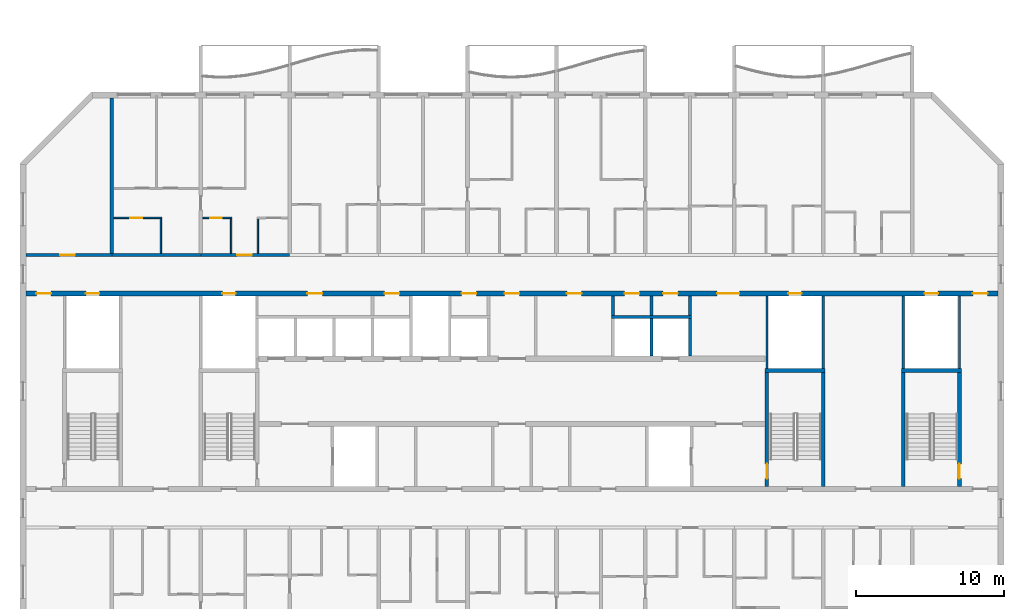
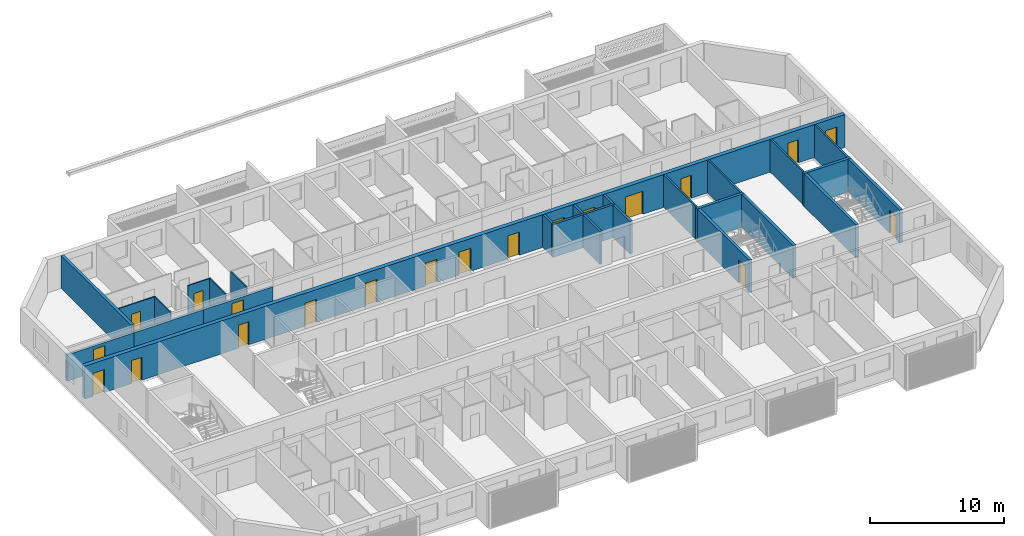
# One storey, part 9 of 20: 26 walls, 20 doors, 20 openings.
"""IFC4 building model written with IfcOpenShell, lengths in metres."""

from ifc_helpers import new_model, si_unit, direction, frame, frame_2d, origin, place, context, subcontext, project, spatial, rectangle, extrude, material, layer, layer_set, type_object, element, fill, save


model = new_model("IFC4")

# Units and contexts
model_context = context("Model", 3, precision=1e-05, world=origin(), true_north=direction((0.0, 1.0)))
body_context = subcontext(model_context, "Body", "Model", "MODEL_VIEW")
ifc_project = project(units=[si_unit("LENGTHUNIT", "METRE"), si_unit("AREAUNIT", "SQUARE_METRE"), si_unit("VOLUMEUNIT", "CUBIC_METRE"), si_unit("PLANEANGLEUNIT", "RADIAN"), si_unit("MASSUNIT", "GRAM", prefix="KILO")], contexts=[model_context])

# Site, building, storey
site_placement = place(None, origin())
site = spatial("IfcSite", under=ifc_project, at=site_placement, CompositionType="ELEMENT")
building_placement = place(site_placement, origin())
building = spatial("IfcBuilding", under=site, at=building_placement, Name="Poui Terraces", CompositionType="ELEMENT")
storey_placement = place(building_placement, frame((0.0, 0.0, 257.699951171875)))
storey = spatial("IfcBuildingStorey", under=building, at=storey_placement, Name="L72", CompositionType="ELEMENT", Elevation=257.699951171875)

# Wall, opening, door
ifc_material_1 = material(Name="Concrete 50 MPa", Category="concrete")
ifc_layer_1 = layer(ifc_material_1, 0.199951171875)
ifc_layer_set_1 = layer_set([ifc_layer_1], Name="Concrete 50 MPa")
wall_type_1 = type_object("IfcWallType", Name="CORRIDOR WALL 200 50MPa", PredefinedType="SHEAR", material=ifc_layer_set_1)
wall_1_placement = place(storey_placement, frame((18.199951171875, 30.39990234375, 0.0), z_axis=(0.0, 0.0, 1.0), x_axis=(1.0, 0.0, 0.0)))
wall_1 = element("IfcWall", 1, at=wall_1_placement, inside=storey, type_object=wall_type_1, Name="CORRIDOR WALL LINE E BAY 1", PredefinedType="SHEAR", context=body_context, shape_type="SweptSolid", body=[
    extrude(rectangle(XDim=5.800048828125, YDim=0.199951171875, at=frame_2d((2.89990234375, 0.0))), origin(), (0.0, 0.0, 1.0), 2.400146484375),
])
opening_1_placement = place(wall_1_placement, frame((2.300048828125, 0.0, 0.0)))
opening_1 = element("IfcOpeningElement", 2, at=opening_1_placement, cuts=wall_1, Name="Opening D100", PredefinedType="OPENING", context=body_context, shape_type="SweptSolid", body=[
    extrude(rectangle(XDim=1.0, YDim=2.10009765625, at=frame_2d((0.5, 1.050048828125))), frame((0.0, 0.10986328125, 0.0), z_axis=(0.0, -1.0, 0.0), x_axis=(1.0, 0.0, 0.0)), (0.0, 0.0, 1.0), 0.219970703125),
])
ifc_material_2 = material(Name="Solid core timber door", Category="wood")
door_type_1 = type_object("IfcDoorType", Name="ACCESSIBLE INTERNAL DOOR 1000 X 2100", OperationType="NOTDEFINED", PredefinedType="DOOR", material=ifc_material_2)
door_1_placement = place(opening_1_placement, origin())
door_1 = element("IfcDoor", 3, at=door_1_placement, inside=storey, type_object=door_type_1, Name="ACCESSIBLE INTERNAL DOOR 026", OperationType="SINGLE_SWING_LEFT", OverallHeight=2.10009765625, OverallWidth=1.0, PredefinedType="DOOR", context=body_context, shape_type="SweptSolid", body=[
    extrude(rectangle(XDim=1.0, YDim=2.10009765625, at=frame_2d((0.5, 1.050048828125))), frame((0.0, 0.02490234375, 0.0), z_axis=(0.0, -1.0, 0.0), x_axis=(1.0, 0.0, 0.0)), (0.0, 0.0, 1.0), 0.050048828125),
])
fill(opening_1, door_1)

# Wall
wall_2_placement = place(storey_placement, frame((24.0, 30.39990234375, 0.0), z_axis=(0.0, 0.0, 1.0), x_axis=(1.0, 0.0, 0.0)))
element("IfcWall", 4, at=wall_2_placement, inside=storey, type_object=wall_type_1, Name="CORRIDOR WALL LINE E BAY 2", PredefinedType="SHEAR", context=body_context, shape_type="SweptSolid", body=[
    extrude(rectangle(XDim=6.0, YDim=0.199951171875, at=frame_2d((3.0, 0.0))), origin(), (0.0, 0.0, 1.0), 2.400146484375),
])

# Wall, opening, door
wall_3_placement = place(storey_placement, frame((30.0, 30.39990234375, 0.0), z_axis=(0.0, 0.0, 1.0), x_axis=(1.0, 0.0, 0.0)))
wall_3 = element("IfcWall", 5, at=wall_3_placement, inside=storey, type_object=wall_type_1, Name="CORRIDOR WALL LINE E BAY 3", PredefinedType="SHEAR", context=body_context, shape_type="SweptSolid", body=[
    extrude(rectangle(XDim=6.0, YDim=0.199951171875, at=frame_2d((3.0, 0.0))), origin(), (0.0, 0.0, 1.0), 2.400146484375),
])
opening_2_placement = place(wall_3_placement, frame((2.449951171875, 0.0, 0.0)))
opening_2 = element("IfcOpeningElement", 6, at=opening_2_placement, cuts=wall_3, Name="Opening FD30S", PredefinedType="OPENING", context=body_context, shape_type="SweptSolid", body=[
    extrude(rectangle(XDim=1.0, YDim=2.10009765625, at=frame_2d((0.5, 1.050048828125))), frame((0.0, 0.10986328125, 0.0), z_axis=(0.0, -1.0, 0.0), x_axis=(1.0, 0.0, 0.0)), (0.0, 0.0, 1.0), 0.219970703125),
])
ifc_material_3 = material(Name="Steel fire door", Category="steel")
door_type_2 = type_object("IfcDoorType", Name="FLAT ENTRANCE DOOR 1000 X 2100", OperationType="NOTDEFINED", PredefinedType="DOOR", material=ifc_material_3)
door_2_placement = place(opening_2_placement, origin())
door_2 = element("IfcDoor", 7, at=door_2_placement, inside=storey, type_object=door_type_2, Name="FLAT ENTRANCE DOOR 033", OperationType="SINGLE_SWING_LEFT", OverallHeight=2.10009765625, OverallWidth=1.0, PredefinedType="DOOR", context=body_context, shape_type="SweptSolid", body=[
    extrude(rectangle(XDim=1.0, YDim=2.10009765625, at=frame_2d((0.5, 1.050048828125))), frame((0.0, 0.02490234375, 0.0), z_axis=(0.0, -1.0, 0.0), x_axis=(1.0, 0.0, 0.0)), (0.0, 0.0, 1.0), 0.050048828125),
])
fill(opening_2, door_2)

# Wall
ifc_layer_2 = layer(ifc_material_1, 0.25)
ifc_layer_set_2 = layer_set([ifc_layer_2], Name="Concrete 50 MPa")
wall_type_2 = type_object("IfcWallType", Name="CROSS WALL 250 50MPa", PredefinedType="SHEAR", material=ifc_layer_set_2)
wall_4_placement = place(storey_placement, frame((24.0, 30.5, 0.0), z_axis=(0.0, 0.0, 1.0), x_axis=(0.0, 1.0, 0.0)))
element("IfcWall", 8, at=wall_4_placement, inside=storey, type_object=wall_type_2, Name="CROSS WALL LINE 5 NORTH", PredefinedType="SHEAR", context=body_context, shape_type="SweptSolid", body=[
    extrude(rectangle(XDim=10.5, YDim=0.25, at=frame_2d((5.25, 0.0))), origin(), (0.0, 0.0, 1.0), 3.0),
])

# Wall, opening, door
ifc_material_4 = material(Name="Plasterboard partition")
ifc_layer_3 = layer(ifc_material_4, 0.10009765625)
ifc_layer_set_3 = layer_set([ifc_layer_3], Name="Plasterboard partition")
wall_type_3 = type_object("IfcWallType", Name="FLAT PARTITION 100", PredefinedType="PARTITIONING", material=ifc_layer_set_3)
wall_5_placement = place(storey_placement, frame((24.135009765625, 32.89990234375, 0.0), z_axis=(0.0, 0.0, 1.0), x_axis=(1.0, 0.0, 0.0)))
wall_5 = element("IfcWall", 9, at=wall_5_placement, inside=storey, type_object=wall_type_3, Name="FLAT PARTITION 100", PredefinedType="PARTITIONING", context=body_context, shape_type="SweptSolid", body=[
    extrude(rectangle(XDim=3.215087890625, YDim=0.10009765625, at=frame_2d((1.607421875, 0.0))), origin(), (0.0, 0.0, 1.0), 3.0),
])
opening_3_placement = place(wall_5_placement, frame((1.114990234375, 0.0, 0.0)))
opening_3 = element("IfcOpeningElement", 10, at=opening_3_placement, cuts=wall_5, Name="Opening D80", PredefinedType="OPENING", context=body_context, shape_type="SweptSolid", body=[
    extrude(rectangle(XDim=0.800048828125, YDim=2.10009765625, at=frame_2d((0.39990234375, 1.050048828125))), frame((0.0, 0.06005859375, 0.0), z_axis=(0.0, -1.0, 0.0), x_axis=(1.0, 0.0, 0.0)), (0.0, 0.0, 1.0), 0.1201171875),
])
door_type_3 = type_object("IfcDoorType", Name="BATHROOM, LAUNDRY AND STORE DOOR 800 X 2100", OperationType="NOTDEFINED", PredefinedType="DOOR", material=ifc_material_2)
door_3_placement = place(opening_3_placement, frame((0.800048828125, 0.0, 0.0), z_axis=(0.0, 0.0, 1.0), x_axis=(-1.0, 0.0, 0.0)))
door_3 = element("IfcDoor", 11, at=door_3_placement, inside=storey, type_object=door_type_3, Name="BATHROOM, LAUNDRY AND STORE DOOR 027", OperationType="SINGLE_SWING_LEFT", OverallHeight=2.10009765625, OverallWidth=0.800048828125, PredefinedType="DOOR", context=body_context, shape_type="SweptSolid", body=[
    extrude(rectangle(XDim=0.800048828125, YDim=2.10009765625, at=frame_2d((0.39990234375, 1.050048828125))), frame((0.0, 0.02490234375, 0.0), z_axis=(0.0, -1.0, 0.0), x_axis=(1.0, 0.0, 0.0)), (0.0, 0.0, 1.0), 0.050048828125),
])
fill(opening_3, door_3)

wall_6_placement = place(storey_placement, frame((30.135009765625, 32.89990234375, 0.0), z_axis=(0.0, 0.0, 1.0), x_axis=(1.0, 0.0, 0.0)))
wall_6 = element("IfcWall", 12, at=wall_6_placement, inside=storey, type_object=wall_type_3, Name="FLAT PARTITION 100", PredefinedType="PARTITIONING", context=body_context, shape_type="SweptSolid", body=[
    extrude(rectangle(XDim=1.965087890625, YDim=0.10009765625, at=frame_2d((0.982421875, 0.0))), origin(), (0.0, 0.0, 1.0), 3.0),
])
opening_4_placement = place(wall_6_placement, frame((0.489990234375, 0.0, 0.0)))
opening_4 = element("IfcOpeningElement", 13, at=opening_4_placement, cuts=wall_6, Name="Opening D80", PredefinedType="OPENING", context=body_context, shape_type="SweptSolid", body=[
    extrude(rectangle(XDim=0.800048828125, YDim=2.10009765625, at=frame_2d((0.39990234375, 1.050048828125))), frame((0.0, 0.06005859375, 0.0), z_axis=(0.0, -1.0, 0.0), x_axis=(1.0, 0.0, 0.0)), (0.0, 0.0, 1.0), 0.1201171875),
])
door_4_placement = place(opening_4_placement, frame((0.800048828125, 0.0, 0.0), z_axis=(0.0, 0.0, 1.0), x_axis=(-1.0, 0.0, 0.0)))
door_4 = element("IfcDoor", 14, at=door_4_placement, inside=storey, type_object=door_type_3, Name="BATHROOM, LAUNDRY AND STORE DOOR 032", OperationType="SINGLE_SWING_RIGHT", OverallHeight=2.10009765625, OverallWidth=0.800048828125, PredefinedType="DOOR", context=body_context, shape_type="SweptSolid", body=[
    extrude(rectangle(XDim=0.800048828125, YDim=2.10009765625, at=frame_2d((0.39990234375, 1.050048828125))), frame((0.0, 0.02490234375, 0.0), z_axis=(0.0, -1.0, 0.0), x_axis=(1.0, 0.0, 0.0)), (0.0, 0.0, 1.0), 0.050048828125),
])
fill(opening_4, door_4)

# Walls
for number, where, z_axis, x_axis, name in (
    (15, (27.300048828125, 30.510009765625, 0.0), (0.0, 0.0, 1.0), (0.0, 1.0, 0.0), "FLAT PARTITION 100"),
    (16, (32.050048828125, 30.510009765625, 0.0), (0.0, 0.0, 1.0), (0.0, 1.0, 0.0), "FLAT PARTITION 100"),
    (17, (33.85009765625, 30.510009765625, 0.0), (0.0, 0.0, 1.0), (0.0, 1.0, 0.0), "FLAT PARTITION 100"),
):
    element("IfcWall", number, at=place(storey_placement, frame(where, z_axis=z_axis, x_axis=x_axis)), inside=storey, type_object=wall_type_3, Name=name, PredefinedType="PARTITIONING", context=body_context, shape_type="SweptSolid", body=[
        extrude(rectangle(XDim=2.340087890625, YDim=0.10009765625, at=frame_2d((1.169921875, 0.0))), origin(), (0.0, 0.0, 1.0), 3.0),
    ])
ifc_material_5 = material(Name="Fire-rated masonry wall", Category="masonry")
ifc_layer_4 = layer(ifc_material_5, 0.199951171875)
ifc_layer_set_4 = layer_set([ifc_layer_4], Name="Fire-rated masonry wall")
wall_type_4 = type_object("IfcWallType", Name="PLANT ROOM WALL 200", PredefinedType="PARTITIONING", material=ifc_layer_set_4)
for number, where, z_axis, x_axis, name in (
    (18, (57.800048828125, 26.300048828125, 0.0), (0.0, 0.0, 1.0), (0.0, 1.0, 0.0), "PLANT ROOM WALL 200"),
    (19, (60.39990234375, 26.300048828125, 0.0), (0.0, 0.0, 1.0), (0.0, 1.0, 0.0), "PLANT ROOM WALL 200"),
    (20, (63.0, 26.300048828125, 0.0), (0.0, 0.0, 1.0), (0.0, 1.0, 0.0), "PLANT ROOM WALL 200"),
):
    element("IfcWall", number, at=place(storey_placement, frame(where, z_axis=z_axis, x_axis=x_axis)), inside=storey, type_object=wall_type_4, Name=name, PredefinedType="PARTITIONING", context=body_context, shape_type="SweptSolid", body=[
        extrude(rectangle(XDim=1.31494140625, YDim=0.199951171875, at=frame_2d((0.657470703125, 0.0))), origin(), (0.0, 0.0, 1.0), 3.0),
    ])
ifc_material_6 = material(Name="Fire-rated plasterboard riser wall")
ifc_layer_5 = layer(ifc_material_6, 0.14990234375)
ifc_layer_set_5 = layer_set([ifc_layer_5], Name="Fire-rated plasterboard riser wall")
wall_type_5 = type_object("IfcWallType", Name="RISER WALL 150", PredefinedType="PARTITIONING", material=ifc_layer_set_5)
for number, where, z_axis, x_axis, name in (
    (21, (68.199951171875, 22.735107421875, 0.0), (0.0, 0.0, 1.0), (0.0, 1.0, 0.0), "RISER WALL 150"),
    (22, (72.0, 22.735107421875, 0.0), (0.0, 0.0, 1.0), (0.0, 1.0, 0.0), "RISER WALL 150"),
    (23, (77.39990234375, 22.735107421875, 0.0), (0.0, 0.0, 1.0), (0.0, 1.0, 0.0), "RISER WALL 150"),
    (24, (81.199951171875, 22.735107421875, 0.0), (0.0, 0.0, 1.0), (0.0, 1.0, 0.0), "RISER WALL 150"),
):
    element("IfcWall", number, at=place(storey_placement, frame(where, z_axis=z_axis, x_axis=x_axis)), inside=storey, type_object=wall_type_5, Name=name, PredefinedType="PARTITIONING", context=body_context, shape_type="SweptSolid", body=[
        extrude(rectangle(XDim=4.8798828125, YDim=0.14990234375, at=frame_2d((2.43994140625, 0.0))), origin(), (0.0, 0.0, 1.0), 3.0),
    ])
ifc_material_7 = material(Name="Fire-rated masonry shaft wall", Category="masonry")
ifc_layer_6 = layer(ifc_material_7, 0.199951171875)
ifc_layer_set_6 = layer_set([ifc_layer_6], Name="Fire-rated masonry shaft wall")
wall_type_6 = type_object("IfcWallType", Name="SHAFT WALL 200", PredefinedType="PARTITIONING", material=ifc_layer_set_6)
wall_7_placement = place(storey_placement, frame((57.699951171875, 26.199951171875, 0.0), z_axis=(0.0, 0.0, 1.0), x_axis=(1.0, 0.0, 0.0)))
element("IfcWall", 25, at=wall_7_placement, inside=storey, type_object=wall_type_6, Name="SHAFT WALL 200", PredefinedType="PARTITIONING", context=body_context, shape_type="SweptSolid", body=[
    extrude(rectangle(XDim=5.400146484375, YDim=0.199951171875, at=frame_2d((2.7001953125, 0.0))), origin(), (0.0, 0.0, 1.0), 3.0),
])
for number, where, z_axis, x_axis, name in (
    (26, (60.39990234375, 23.5849609375, 0.0), (0.0, 0.0, 1.0), (0.0, 1.0, 0.0), "SHAFT WALL 200"),
    (27, (63.0, 23.5849609375, 0.0), (0.0, 0.0, 1.0), (0.0, 1.0, 0.0), "SHAFT WALL 200"),
):
    element("IfcWall", number, at=place(storey_placement, frame(where, z_axis=z_axis, x_axis=x_axis)), inside=storey, type_object=wall_type_6, Name=name, PredefinedType="PARTITIONING", context=body_context, shape_type="SweptSolid", body=[
        extrude(rectangle(XDim=2.51513671875, YDim=0.199951171875, at=frame_2d((1.257568359375, 0.0))), origin(), (0.0, 0.0, 1.0), 3.0),
    ])

# Wall, openings, doors
ifc_layer_7 = layer(ifc_material_1, 0.35009765625)
ifc_layer_set_7 = layer_set([ifc_layer_7], Name="Concrete 50 MPa")
wall_type_7 = type_object("IfcWallType", Name="SPINE WALL 350 50 MPA", PredefinedType="SOLIDWALL", material=ifc_layer_set_7)
wall_8_placement = place(storey_placement, frame((18.199951171875, 27.800048828125, 0.0), z_axis=(0.0, 0.0, 1.0), x_axis=(1.0, 0.0, 0.0)))
wall_8 = element("IfcWall", 28, at=wall_8_placement, inside=storey, type_object=wall_type_7, Name="SPINE WALL", PredefinedType="SOLIDWALL", context=body_context, shape_type="SweptSolid", body=[
    extrude(rectangle(XDim=65.60009765625, YDim=0.35009765625, at=frame_2d((32.800048828125, 0.0))), origin(), (0.0, 0.0, 1.0), 3.0),
])
opening_5_placement = place(wall_8_placement, frame((0.699951171875, 0.0, 0.0)))
opening_5 = element("IfcOpeningElement", 29, at=opening_5_placement, cuts=wall_8, Name="Opening FDL", PredefinedType="OPENING", context=body_context, shape_type="SweptSolid", body=[
    extrude(rectangle(XDim=1.0, YDim=2.10009765625, at=frame_2d((0.5, 1.050048828125))), frame((0.0, 0.18505859375, 0.0), z_axis=(0.0, -1.0, 0.0), x_axis=(1.0, 0.0, 0.0)), (0.0, 0.0, 1.0), 0.3701171875),
])
opening_6_placement = place(wall_8_placement, frame((4.050048828125, 0.0, 0.0)))
opening_6 = element("IfcOpeningElement", 30, at=opening_6_placement, cuts=wall_8, Name="Opening FDR", PredefinedType="OPENING", context=body_context, shape_type="SweptSolid", body=[
    extrude(rectangle(XDim=0.89990234375, YDim=2.10009765625, at=frame_2d((0.449951171875, 1.050048828125))), frame((0.0, 0.18505859375, 0.0), z_axis=(0.0, -1.0, 0.0), x_axis=(1.0, 0.0, 0.0)), (0.0, 0.0, 1.0), 0.3701171875),
])
opening_7_placement = place(wall_8_placement, frame((13.25, 0.0, 0.0)))
opening_7 = element("IfcOpeningElement", 31, at=opening_7_placement, cuts=wall_8, Name="Opening FDR", PredefinedType="OPENING", context=body_context, shape_type="SweptSolid", body=[
    extrude(rectangle(XDim=0.89990234375, YDim=2.10009765625, at=frame_2d((0.449951171875, 1.050048828125))), frame((0.0, 0.18505859375, 0.0), z_axis=(0.0, -1.0, 0.0), x_axis=(1.0, 0.0, 0.0)), (0.0, 0.0, 1.0), 0.3701171875),
])
opening_8_placement = place(wall_8_placement, frame((19.0, 0.0, 0.0)))
opening_8 = element("IfcOpeningElement", 32, at=opening_8_placement, cuts=wall_8, Name="Opening FD60", PredefinedType="OPENING", context=body_context, shape_type="SweptSolid", body=[
    extrude(rectangle(XDim=1.0, YDim=2.10009765625, at=frame_2d((0.5, 1.050048828125))), frame((0.0, 0.18505859375, 0.0), z_axis=(0.0, -1.0, 0.0), x_axis=(1.0, 0.0, 0.0)), (0.0, 0.0, 1.0), 0.3701171875),
])
opening_9_placement = place(wall_8_placement, frame((24.199951171875, 0.0, 0.0)))
opening_9 = element("IfcOpeningElement", 33, at=opening_9_placement, cuts=wall_8, Name="Opening FD60", PredefinedType="OPENING", context=body_context, shape_type="SweptSolid", body=[
    extrude(rectangle(XDim=1.0, YDim=2.10009765625, at=frame_2d((0.5, 1.050048828125))), frame((0.0, 0.18505859375, 0.0), z_axis=(0.0, -1.0, 0.0), x_axis=(1.0, 0.0, 0.0)), (0.0, 0.0, 1.0), 0.3701171875),
])
opening_10_placement = place(wall_8_placement, frame((29.39990234375, 0.0, 0.0)))
opening_10 = element("IfcOpeningElement", 34, at=opening_10_placement, cuts=wall_8, Name="Opening FD60", PredefinedType="OPENING", context=body_context, shape_type="SweptSolid", body=[
    extrude(rectangle(XDim=1.0, YDim=2.10009765625, at=frame_2d((0.5, 1.050048828125))), frame((0.0, 0.18505859375, 0.0), z_axis=(0.0, -1.0, 0.0), x_axis=(1.0, 0.0, 0.0)), (0.0, 0.0, 1.0), 0.3701171875),
])
opening_11_placement = place(wall_8_placement, frame((32.300048828125, 0.0, 0.0)))
opening_11 = element("IfcOpeningElement", 35, at=opening_11_placement, cuts=wall_8, Name="Opening FDL", PredefinedType="OPENING", context=body_context, shape_type="SweptSolid", body=[
    extrude(rectangle(XDim=1.0, YDim=2.10009765625, at=frame_2d((0.5, 1.050048828125))), frame((0.0, 0.18505859375, 0.0), z_axis=(0.0, -1.0, 0.0), x_axis=(1.0, 0.0, 0.0)), (0.0, 0.0, 1.0), 0.3701171875),
])
opening_12_placement = place(wall_8_placement, frame((36.5, 0.0, 0.0)))
opening_12 = element("IfcOpeningElement", 36, at=opening_12_placement, cuts=wall_8, Name="Opening FD60", PredefinedType="OPENING", context=body_context, shape_type="SweptSolid", body=[
    extrude(rectangle(XDim=1.0, YDim=2.10009765625, at=frame_2d((0.5, 1.050048828125))), frame((0.0, 0.18505859375, 0.0), z_axis=(0.0, -1.0, 0.0), x_axis=(1.0, 0.0, 0.0)), (0.0, 0.0, 1.0), 0.3701171875),
])
opening_13_placement = place(wall_8_placement, frame((40.39990234375, 0.0, 0.0)))
opening_13 = element("IfcOpeningElement", 37, at=opening_13_placement, cuts=wall_8, Name="Opening FD60", PredefinedType="OPENING", context=body_context, shape_type="SweptSolid", body=[
    extrude(rectangle(XDim=1.0, YDim=2.10009765625, at=frame_2d((0.5, 1.050048828125))), frame((0.0, 0.18505859375, 0.0), z_axis=(0.0, -1.0, 0.0), x_axis=(1.0, 0.0, 0.0)), (0.0, 0.0, 1.0), 0.3701171875),
])
opening_14_placement = place(wall_8_placement, frame((43.0, 0.0, 0.0)))
opening_14 = element("IfcOpeningElement", 38, at=opening_14_placement, cuts=wall_8, Name="Opening FD60", PredefinedType="OPENING", context=body_context, shape_type="SweptSolid", body=[
    extrude(rectangle(XDim=1.0, YDim=2.10009765625, at=frame_2d((0.5, 1.050048828125))), frame((0.0, 0.18505859375, 0.0), z_axis=(0.0, -1.0, 0.0), x_axis=(1.0, 0.0, 0.0)), (0.0, 0.0, 1.0), 0.3701171875),
])
opening_15_placement = place(wall_8_placement, frame((46.64990234375, 0.0, 0.0)))
opening_15 = element("IfcOpeningElement", 39, at=opening_15_placement, cuts=wall_8, Name="Opening FDP", PredefinedType="OPENING", context=body_context, shape_type="SweptSolid", body=[
    extrude(rectangle(XDim=1.5, YDim=2.10009765625, at=frame_2d((0.75, 1.050048828125))), frame((0.0, 0.18505859375, 0.0), z_axis=(0.0, -1.0, 0.0), x_axis=(1.0, 0.0, 0.0)), (0.0, 0.0, 1.0), 0.3701171875),
])
opening_16_placement = place(wall_8_placement, frame((51.449951171875, 0.0, 0.0)))
opening_16 = element("IfcOpeningElement", 40, at=opening_16_placement, cuts=wall_8, Name="Opening FDR", PredefinedType="OPENING", context=body_context, shape_type="SweptSolid", body=[
    extrude(rectangle(XDim=0.89990234375, YDim=2.10009765625, at=frame_2d((0.449951171875, 1.050048828125))), frame((0.0, 0.18505859375, 0.0), z_axis=(0.0, -1.0, 0.0), x_axis=(1.0, 0.0, 0.0)), (0.0, 0.0, 1.0), 0.3701171875),
])
opening_17_placement = place(wall_8_placement, frame((60.64990234375, 0.0, 0.0)))
opening_17 = element("IfcOpeningElement", 41, at=opening_17_placement, cuts=wall_8, Name="Opening FDR", PredefinedType="OPENING", context=body_context, shape_type="SweptSolid", body=[
    extrude(rectangle(XDim=0.89990234375, YDim=2.10009765625, at=frame_2d((0.449951171875, 1.050048828125))), frame((0.0, 0.18505859375, 0.0), z_axis=(0.0, -1.0, 0.0), x_axis=(1.0, 0.0, 0.0)), (0.0, 0.0, 1.0), 0.3701171875),
])
opening_18_placement = place(wall_8_placement, frame((63.89990234375, 0.0, 0.0)))
opening_18 = element("IfcOpeningElement", 42, at=opening_18_placement, cuts=wall_8, Name="Opening FDL", PredefinedType="OPENING", context=body_context, shape_type="SweptSolid", body=[
    extrude(rectangle(XDim=1.0, YDim=2.10009765625, at=frame_2d((0.5, 1.050048828125))), frame((0.0, 0.18505859375, 0.0), z_axis=(0.0, -1.0, 0.0), x_axis=(1.0, 0.0, 0.0)), (0.0, 0.0, 1.0), 0.3701171875),
])
door_type_4 = type_object("IfcDoorType", Name="LOBBY FIRE DOOR 1000 X 2100", OperationType="NOTDEFINED", PredefinedType="DOOR", material=ifc_material_3)
door_5_placement = place(opening_5_placement, origin())
door_5 = element("IfcDoor", 43, at=door_5_placement, inside=storey, type_object=door_type_4, Name="LOBBY FIRE DOOR 001", OperationType="SINGLE_SWING_LEFT", OverallHeight=2.10009765625, OverallWidth=1.0, PredefinedType="DOOR", context=body_context, shape_type="SweptSolid", body=[
    extrude(rectangle(XDim=1.0, YDim=2.10009765625, at=frame_2d((0.5, 1.050048828125))), frame((0.0, 0.02490234375, 0.0), z_axis=(0.0, -1.0, 0.0), x_axis=(1.0, 0.0, 0.0)), (0.0, 0.0, 1.0), 0.050048828125),
])
fill(opening_5, door_5)
door_6_placement = place(opening_11_placement, origin())
door_6 = element("IfcDoor", 44, at=door_6_placement, inside=storey, type_object=door_type_4, Name="LOBBY FIRE DOOR 007", OperationType="SINGLE_SWING_RIGHT", OverallHeight=2.10009765625, OverallWidth=1.0, PredefinedType="DOOR", context=body_context, shape_type="SweptSolid", body=[
    extrude(rectangle(XDim=1.0, YDim=2.10009765625, at=frame_2d((0.5, 1.050048828125))), frame((0.0, 0.02490234375, 0.0), z_axis=(0.0, -1.0, 0.0), x_axis=(1.0, 0.0, 0.0)), (0.0, 0.0, 1.0), 0.050048828125),
])
fill(opening_11, door_6)
door_7_placement = place(opening_18_placement, origin())
door_7 = element("IfcDoor", 45, at=door_7_placement, inside=storey, type_object=door_type_4, Name="LOBBY FIRE DOOR 014", OperationType="SINGLE_SWING_RIGHT", OverallHeight=2.10009765625, OverallWidth=1.0, PredefinedType="DOOR", context=body_context, shape_type="SweptSolid", body=[
    extrude(rectangle(XDim=1.0, YDim=2.10009765625, at=frame_2d((0.5, 1.050048828125))), frame((0.0, 0.02490234375, 0.0), z_axis=(0.0, -1.0, 0.0), x_axis=(1.0, 0.0, 0.0)), (0.0, 0.0, 1.0), 0.050048828125),
])
fill(opening_18, door_7)
door_type_5 = type_object("IfcDoorType", Name="PLANT ROOM DOOR PAIR 1500 X 2100", OperationType="DOUBLE_DOOR_SINGLE_SWING", PredefinedType="DOOR", material=ifc_material_3)
door_8_placement = place(opening_15_placement, origin())
door_8 = element("IfcDoor", 46, at=door_8_placement, inside=storey, type_object=door_type_5, Name="PLANT ROOM DOOR PAIR 011", OperationType="DOUBLE_DOOR_SINGLE_SWING", OverallHeight=2.10009765625, OverallWidth=1.5, PredefinedType="DOOR", context=body_context, shape_type="SweptSolid", body=[
    extrude(rectangle(XDim=1.5, YDim=2.10009765625, at=frame_2d((0.75, 1.050048828125))), frame((0.0, 0.02490234375, 0.0), z_axis=(0.0, -1.0, 0.0), x_axis=(1.0, 0.0, 0.0)), (0.0, 0.0, 1.0), 0.050048828125),
])
fill(opening_15, door_8)
door_type_6 = type_object("IfcDoorType", Name="RISER CUPBOARD DOOR 900 X 2100", OperationType="NOTDEFINED", PredefinedType="DOOR", material=ifc_material_3)
door_9_placement = place(opening_6_placement, origin())
door_9 = element("IfcDoor", 47, at=door_9_placement, inside=storey, type_object=door_type_6, Name="RISER CUPBOARD DOOR 002", OperationType="SINGLE_SWING_LEFT", OverallHeight=2.10009765625, OverallWidth=0.89990234375, PredefinedType="DOOR", context=body_context, shape_type="SweptSolid", body=[
    extrude(rectangle(XDim=0.89990234375, YDim=2.10009765625, at=frame_2d((0.449951171875, 1.050048828125))), frame((0.0, 0.02490234375, 0.0), z_axis=(0.0, -1.0, 0.0), x_axis=(1.0, 0.0, 0.0)), (0.0, 0.0, 1.0), 0.050048828125),
])
fill(opening_6, door_9)
door_10_placement = place(opening_7_placement, origin())
door_10 = element("IfcDoor", 48, at=door_10_placement, inside=storey, type_object=door_type_6, Name="RISER CUPBOARD DOOR 003", OperationType="SINGLE_SWING_LEFT", OverallHeight=2.10009765625, OverallWidth=0.89990234375, PredefinedType="DOOR", context=body_context, shape_type="SweptSolid", body=[
    extrude(rectangle(XDim=0.89990234375, YDim=2.10009765625, at=frame_2d((0.449951171875, 1.050048828125))), frame((0.0, 0.02490234375, 0.0), z_axis=(0.0, -1.0, 0.0), x_axis=(1.0, 0.0, 0.0)), (0.0, 0.0, 1.0), 0.050048828125),
])
fill(opening_7, door_10)
door_11_placement = place(opening_16_placement, origin())
door_11 = element("IfcDoor", 49, at=door_11_placement, inside=storey, type_object=door_type_6, Name="RISER CUPBOARD DOOR 012", OperationType="SINGLE_SWING_RIGHT", OverallHeight=2.10009765625, OverallWidth=0.89990234375, PredefinedType="DOOR", context=body_context, shape_type="SweptSolid", body=[
    extrude(rectangle(XDim=0.89990234375, YDim=2.10009765625, at=frame_2d((0.449951171875, 1.050048828125))), frame((0.0, 0.02490234375, 0.0), z_axis=(0.0, -1.0, 0.0), x_axis=(1.0, 0.0, 0.0)), (0.0, 0.0, 1.0), 0.050048828125),
])
fill(opening_16, door_11)
door_12_placement = place(opening_17_placement, origin())
door_12 = element("IfcDoor", 50, at=door_12_placement, inside=storey, type_object=door_type_6, Name="RISER CUPBOARD DOOR 013", OperationType="SINGLE_SWING_RIGHT", OverallHeight=2.10009765625, OverallWidth=0.89990234375, PredefinedType="DOOR", context=body_context, shape_type="SweptSolid", body=[
    extrude(rectangle(XDim=0.89990234375, YDim=2.10009765625, at=frame_2d((0.449951171875, 1.050048828125))), frame((0.0, 0.02490234375, 0.0), z_axis=(0.0, -1.0, 0.0), x_axis=(1.0, 0.0, 0.0)), (0.0, 0.0, 1.0), 0.050048828125),
])
fill(opening_17, door_12)
door_type_7 = type_object("IfcDoorType", Name="SERVICE ROOM FIRE DOOR 1000 X 2100", OperationType="NOTDEFINED", PredefinedType="DOOR", material=ifc_material_3)
door_13_placement = place(opening_8_placement, origin())
door_13 = element("IfcDoor", 51, at=door_13_placement, inside=storey, type_object=door_type_7, Name="SERVICE ROOM FIRE DOOR 004", OperationType="SINGLE_SWING_LEFT", OverallHeight=2.10009765625, OverallWidth=1.0, PredefinedType="DOOR", context=body_context, shape_type="SweptSolid", body=[
    extrude(rectangle(XDim=1.0, YDim=2.10009765625, at=frame_2d((0.5, 1.050048828125))), frame((0.0, 0.02490234375, 0.0), z_axis=(0.0, -1.0, 0.0), x_axis=(1.0, 0.0, 0.0)), (0.0, 0.0, 1.0), 0.050048828125),
])
fill(opening_8, door_13)
door_14_placement = place(opening_9_placement, origin())
door_14 = element("IfcDoor", 52, at=door_14_placement, inside=storey, type_object=door_type_7, Name="SERVICE ROOM FIRE DOOR 005", OperationType="SINGLE_SWING_RIGHT", OverallHeight=2.10009765625, OverallWidth=1.0, PredefinedType="DOOR", context=body_context, shape_type="SweptSolid", body=[
    extrude(rectangle(XDim=1.0, YDim=2.10009765625, at=frame_2d((0.5, 1.050048828125))), frame((0.0, 0.02490234375, 0.0), z_axis=(0.0, -1.0, 0.0), x_axis=(1.0, 0.0, 0.0)), (0.0, 0.0, 1.0), 0.050048828125),
])
fill(opening_9, door_14)
door_15_placement = place(opening_10_placement, origin())
door_15 = element("IfcDoor", 53, at=door_15_placement, inside=storey, type_object=door_type_7, Name="SERVICE ROOM FIRE DOOR 006", OperationType="SINGLE_SWING_LEFT", OverallHeight=2.10009765625, OverallWidth=1.0, PredefinedType="DOOR", context=body_context, shape_type="SweptSolid", body=[
    extrude(rectangle(XDim=1.0, YDim=2.10009765625, at=frame_2d((0.5, 1.050048828125))), frame((0.0, 0.02490234375, 0.0), z_axis=(0.0, -1.0, 0.0), x_axis=(1.0, 0.0, 0.0)), (0.0, 0.0, 1.0), 0.050048828125),
])
fill(opening_10, door_15)
door_16_placement = place(opening_12_placement, origin())
door_16 = element("IfcDoor", 54, at=door_16_placement, inside=storey, type_object=door_type_7, Name="SERVICE ROOM FIRE DOOR 008", OperationType="SINGLE_SWING_RIGHT", OverallHeight=2.10009765625, OverallWidth=1.0, PredefinedType="DOOR", context=body_context, shape_type="SweptSolid", body=[
    extrude(rectangle(XDim=1.0, YDim=2.10009765625, at=frame_2d((0.5, 1.050048828125))), frame((0.0, 0.02490234375, 0.0), z_axis=(0.0, -1.0, 0.0), x_axis=(1.0, 0.0, 0.0)), (0.0, 0.0, 1.0), 0.050048828125),
])
fill(opening_12, door_16)
door_17_placement = place(opening_13_placement, origin())
door_17 = element("IfcDoor", 55, at=door_17_placement, inside=storey, type_object=door_type_7, Name="SERVICE ROOM FIRE DOOR 009", OperationType="SINGLE_SWING_LEFT", OverallHeight=2.10009765625, OverallWidth=1.0, PredefinedType="DOOR", context=body_context, shape_type="SweptSolid", body=[
    extrude(rectangle(XDim=1.0, YDim=2.10009765625, at=frame_2d((0.5, 1.050048828125))), frame((0.0, 0.02490234375, 0.0), z_axis=(0.0, -1.0, 0.0), x_axis=(1.0, 0.0, 0.0)), (0.0, 0.0, 1.0), 0.050048828125),
])
fill(opening_13, door_17)
door_18_placement = place(opening_14_placement, origin())
door_18 = element("IfcDoor", 56, at=door_18_placement, inside=storey, type_object=door_type_7, Name="SERVICE ROOM FIRE DOOR 010", OperationType="SINGLE_SWING_RIGHT", OverallHeight=2.10009765625, OverallWidth=1.0, PredefinedType="DOOR", context=body_context, shape_type="SweptSolid", body=[
    extrude(rectangle(XDim=1.0, YDim=2.10009765625, at=frame_2d((0.5, 1.050048828125))), frame((0.0, 0.02490234375, 0.0), z_axis=(0.0, -1.0, 0.0), x_axis=(1.0, 0.0, 0.0)), (0.0, 0.0, 1.0), 0.050048828125),
])
fill(opening_14, door_18)

# Wall, opening, door
ifc_layer_8 = layer(ifc_material_1, 0.25)
ifc_layer_set_8 = layer_set([ifc_layer_8], Name="Concrete 50 MPa")
wall_type_8 = type_object("IfcWallType", Name="STAIR CORE WALL 250 50 MPA", PredefinedType="SOLIDWALL", material=ifc_layer_set_8)
wall_9_placement = place(storey_placement, frame((68.199951171875, 14.77490234375, 0.0), z_axis=(0.0, 0.0, 1.0), x_axis=(0.0, 1.0, 0.0)))
wall_9 = element("IfcWall", 57, at=wall_9_placement, inside=storey, type_object=wall_type_8, Name="STAIR CORE WALL", PredefinedType="SOLIDWALL", context=body_context, shape_type="SweptSolid", body=[
    extrude(rectangle(XDim=7.7001953125, YDim=0.25, at=frame_2d((3.85009765625, 0.0))), origin(), (0.0, 0.0, 1.0), 3.0),
])
opening_19_placement = place(wall_9_placement, frame((0.52490234375, 0.0, 0.0)))
opening_19 = element("IfcOpeningElement", 58, at=opening_19_placement, cuts=wall_9, Name="Opening FD60S", PredefinedType="OPENING", context=body_context, shape_type="SweptSolid", body=[
    extrude(rectangle(XDim=1.0, YDim=2.10009765625, at=frame_2d((0.5, 1.050048828125))), frame((0.0, 0.135009765625, 0.0), z_axis=(0.0, -1.0, 0.0), x_axis=(1.0, 0.0, 0.0)), (0.0, 0.0, 1.0), 0.27001953125),
])
door_type_8 = type_object("IfcDoorType", Name="STAIR DOOR 1000 X 2100", OperationType="NOTDEFINED", PredefinedType="DOOR", material=ifc_material_3)
door_19_placement = place(opening_19_placement, frame((1.0, 0.0, 0.0), z_axis=(0.0, 0.0, 1.0), x_axis=(-1.0, 0.0, 0.0)))
door_19 = element("IfcDoor", 59, at=door_19_placement, inside=storey, type_object=door_type_8, Name="STAIR DOOR 095", OperationType="SINGLE_SWING_LEFT", OverallHeight=2.10009765625, OverallWidth=1.0, PredefinedType="DOOR", context=body_context, shape_type="SweptSolid", body=[
    extrude(rectangle(XDim=1.0, YDim=2.10009765625, at=frame_2d((0.5, 1.050048828125))), frame((0.0, 0.02490234375, 0.0), z_axis=(0.0, -1.0, 0.0), x_axis=(1.0, 0.0, 0.0)), (0.0, 0.0, 1.0), 0.050048828125),
])
fill(opening_19, door_19)

# Walls
wall_10_placement = place(storey_placement, frame((72.0, 14.77490234375, 0.0), z_axis=(0.0, 0.0, 1.0), x_axis=(0.0, 1.0, 0.0)))
element("IfcWall", 60, at=wall_10_placement, inside=storey, type_object=wall_type_8, Name="STAIR CORE WALL", PredefinedType="SOLIDWALL", context=body_context, shape_type="SweptSolid", body=[
    extrude(rectangle(XDim=7.7001953125, YDim=0.25, at=frame_2d((3.85009765625, 0.0))), origin(), (0.0, 0.0, 1.0), 3.0),
])
wall_11_placement = place(storey_placement, frame((68.074951171875, 22.60009765625, 0.0), z_axis=(0.0, 0.0, 1.0), x_axis=(1.0, 0.0, 0.0)))
element("IfcWall", 61, at=wall_11_placement, inside=storey, type_object=wall_type_8, Name="STAIR CORE WALL", PredefinedType="SOLIDWALL", context=body_context, shape_type="SweptSolid", body=[
    extrude(rectangle(XDim=4.050048828125, YDim=0.25, at=frame_2d((2.02490234375, 0.0))), origin(), (0.0, 0.0, 1.0), 3.0),
])
wall_12_placement = place(storey_placement, frame((77.39990234375, 14.77490234375, 0.0), z_axis=(0.0, 0.0, 1.0), x_axis=(0.0, 1.0, 0.0)))
element("IfcWall", 62, at=wall_12_placement, inside=storey, type_object=wall_type_8, Name="STAIR CORE WALL", PredefinedType="SOLIDWALL", context=body_context, shape_type="SweptSolid", body=[
    extrude(rectangle(XDim=7.7001953125, YDim=0.25, at=frame_2d((3.85009765625, 0.0))), origin(), (0.0, 0.0, 1.0), 3.0),
])

# Wall, opening, door
wall_13_placement = place(storey_placement, frame((81.199951171875, 14.77490234375, 0.0), z_axis=(0.0, 0.0, 1.0), x_axis=(0.0, 1.0, 0.0)))
wall_13 = element("IfcWall", 63, at=wall_13_placement, inside=storey, type_object=wall_type_8, Name="STAIR CORE WALL", PredefinedType="SOLIDWALL", context=body_context, shape_type="SweptSolid", body=[
    extrude(rectangle(XDim=7.7001953125, YDim=0.25, at=frame_2d((3.85009765625, 0.0))), origin(), (0.0, 0.0, 1.0), 3.0),
])
opening_20_placement = place(wall_13_placement, frame((0.52490234375, 0.0, 0.0)))
opening_20 = element("IfcOpeningElement", 64, at=opening_20_placement, cuts=wall_13, Name="Opening FD60S", PredefinedType="OPENING", context=body_context, shape_type="SweptSolid", body=[
    extrude(rectangle(XDim=1.0, YDim=2.10009765625, at=frame_2d((0.5, 1.050048828125))), frame((0.0, 0.135009765625, 0.0), z_axis=(0.0, -1.0, 0.0), x_axis=(1.0, 0.0, 0.0)), (0.0, 0.0, 1.0), 0.27001953125),
])
door_20_placement = place(opening_20_placement, origin())
door_20 = element("IfcDoor", 65, at=door_20_placement, inside=storey, type_object=door_type_8, Name="STAIR DOOR 109", OperationType="SINGLE_SWING_LEFT", OverallHeight=2.10009765625, OverallWidth=1.0, PredefinedType="DOOR", context=body_context, shape_type="SweptSolid", body=[
    extrude(rectangle(XDim=1.0, YDim=2.10009765625, at=frame_2d((0.5, 1.050048828125))), frame((0.0, 0.02490234375, 0.0), z_axis=(0.0, -1.0, 0.0), x_axis=(1.0, 0.0, 0.0)), (0.0, 0.0, 1.0), 0.050048828125),
])
fill(opening_20, door_20)

# Wall
wall_14_placement = place(storey_placement, frame((77.27490234375, 22.60009765625, 0.0), z_axis=(0.0, 0.0, 1.0), x_axis=(1.0, 0.0, 0.0)))
element("IfcWall", 66, at=wall_14_placement, inside=storey, type_object=wall_type_8, Name="STAIR CORE WALL", PredefinedType="SOLIDWALL", context=body_context, shape_type="SweptSolid", body=[
    extrude(rectangle(XDim=4.050048828125, YDim=0.25, at=frame_2d((2.02490234375, 0.0))), origin(), (0.0, 0.0, 1.0), 3.0),
])

save(model, "model.ifc")
